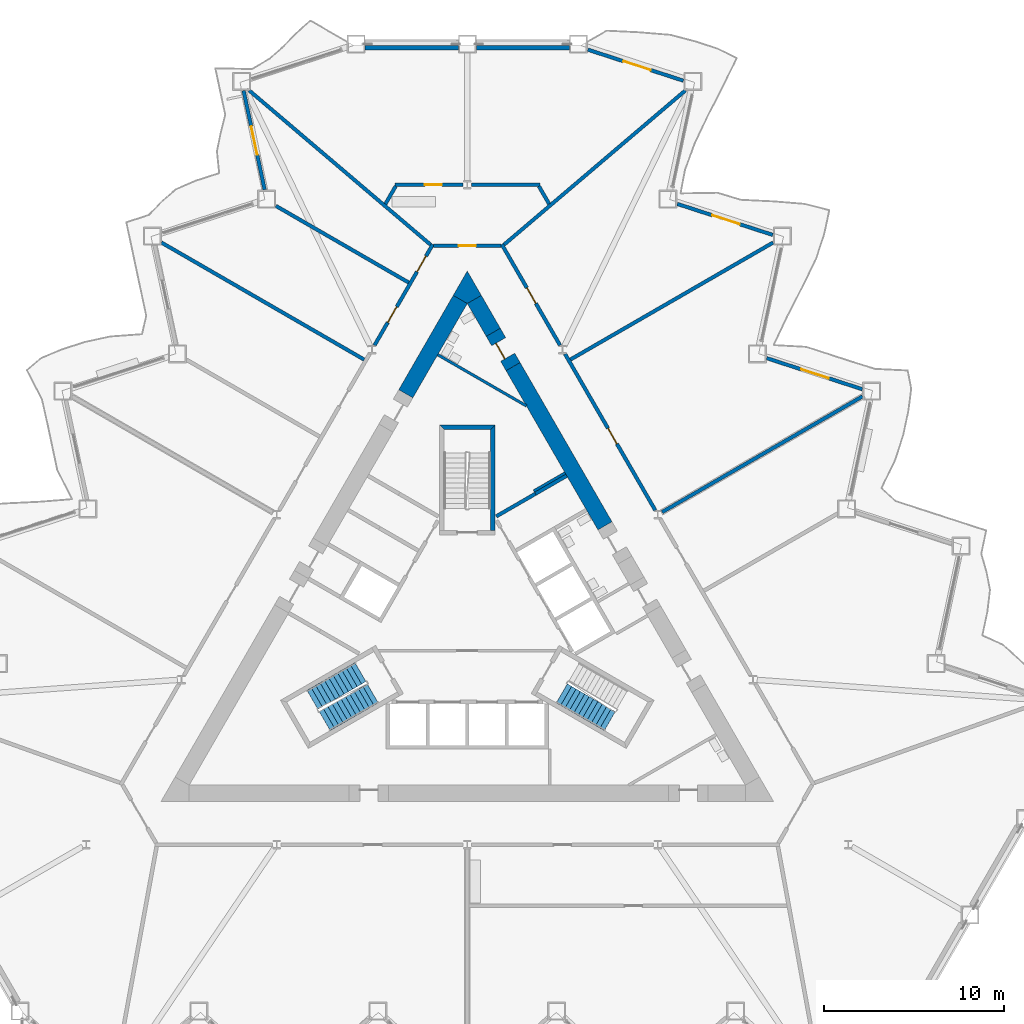
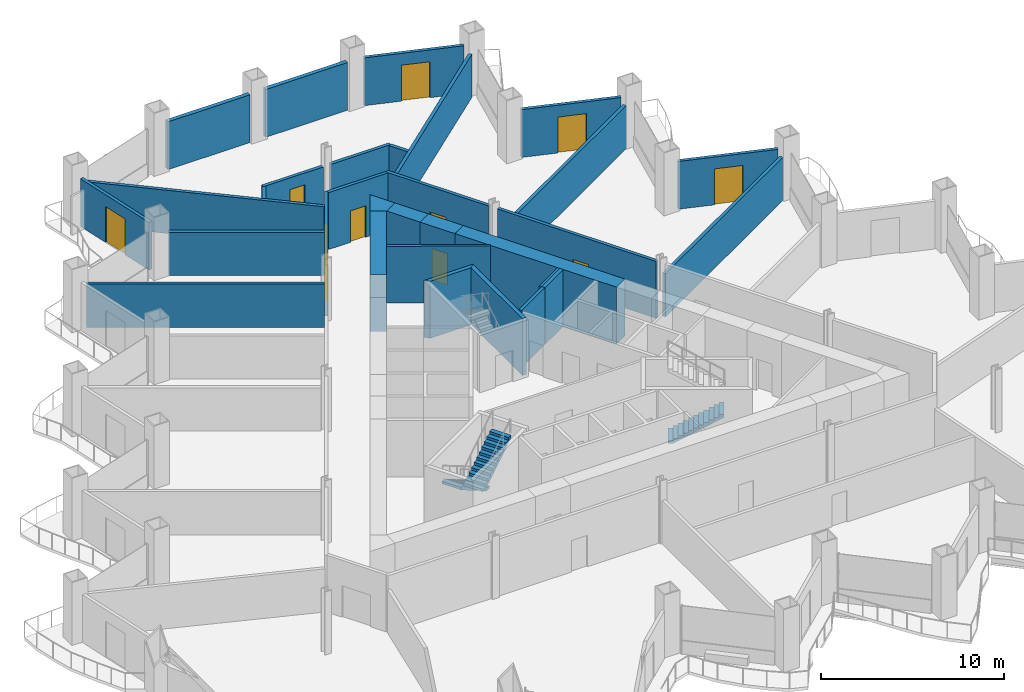
# One storey, part 12 of 21: 31 walls, 11 doors, 3 stair flights, 11 openings, 2 elements without a shape of their own.
"""IFC4 building model written with IfcOpenShell, lengths in metres."""

from ifc_helpers import new_model, si_unit, direction, frame, frame_2d, origin, place, context, subcontext, project, spatial, polyline, rectangle, outline, extrude, material, layer, layer_set, type_object, element, fill, aggregate, save


model = new_model("IFC4")

# Units and contexts
model_context = context("Model", 3, precision=1e-05, world=origin(), true_north=direction((0.0, 1.0)))
body_context = subcontext(model_context, "Body", "Model", "MODEL_VIEW")
ifc_project = project(units=[si_unit("LENGTHUNIT", "METRE"), si_unit("AREAUNIT", "SQUARE_METRE"), si_unit("VOLUMEUNIT", "CUBIC_METRE"), si_unit("PLANEANGLEUNIT", "RADIAN"), si_unit("MASSUNIT", "GRAM", prefix="KILO")], contexts=[model_context])

# Site, building, storey
site_placement = place(None, origin())
site = spatial("IfcSite", under=ifc_project, at=site_placement, CompositionType="ELEMENT")
building_placement = place(site_placement, origin())
building = spatial("IfcBuilding", under=site, at=building_placement, Name="Cormorant Prow Tower", CompositionType="ELEMENT")
storey_placement = place(building_placement, frame((0.0, 0.0, 76.199951171875)))
storey = spatial("IfcBuildingStorey", under=building, at=storey_placement, Name="L16", CompositionType="ELEMENT", Elevation=76.199951171875)

# Walls
ifc_material_1 = material(Name="Gypsum board partition")
ifc_layer_1 = layer(ifc_material_1, 0.14990234375)
ifc_layer_set_1 = layer_set([ifc_layer_1], Name="Gypsum board partition")
wall_type_1 = type_object("IfcWallType", Name="Core partition 150", PredefinedType="PARTITIONING", material=ifc_layer_set_1)
wall_1_placement = place(storey_placement, frame((3.693359375, 7.4150390625, 0.0), z_axis=(0.0, 0.0, 1.0), x_axis=(0.866035824272, 0.499981950752, 0.0)))
element("IfcWall", 1, at=wall_1_placement, inside=storey, type_object=wall_type_1, Name="Service room partition", PredefinedType="PARTITIONING", context=body_context, shape_type="SweptSolid", body=[
    extrude(rectangle(XDim=2.0087890625, YDim=0.14990234375, at=frame_2d((1.00439453125, 0.0))), origin(), (0.0, 0.0, 1.0), 3.800048828125),
])
wall_2_placement = place(storey_placement, frame((-1.64111328125, 14.9873046875, 0.0), z_axis=(0.0, 0.0, 1.0), x_axis=(0.866033267067, -0.499986380149, 0.0)))
element("IfcWall", 2, at=wall_2_placement, inside=storey, type_object=wall_type_1, Name="Service room partition", PredefinedType="PARTITIONING", context=body_context, shape_type="SweptSolid", body=[
    extrude(rectangle(XDim=5.685302734375, YDim=0.14990234375, at=frame_2d((2.8427734375, 0.0))), origin(), (0.0, 0.0, 1.0), 3.800048828125),
])
ifc_material_2 = material(Name="Concrete 8000 psi", Category="concrete")
ifc_layer_2 = layer(ifc_material_2, 0.89990234375)
ifc_layer_set_2 = layer_set([ifc_layer_2], Name="Concrete 8000 psi")
wall_type_2 = type_object("IfcWallType", Name="Core shear wall 900", PredefinedType="SHEAR", material=ifc_layer_set_2)
wall_3_placement = place(storey_placement, frame((7.646484375, 5.485595703125, 0.0), z_axis=(0.0, 0.0, 1.0), x_axis=(-0.499982660725, 0.866035414388, 0.0)))
element("IfcWall", 3, at=wall_3_placement, inside=storey, type_object=wall_type_2, Name="Core wall", PredefinedType="SHEAR", context=body_context, shape_type="SweptSolid", body=[
    extrude(rectangle(XDim=10.206298828125, YDim=0.89990234375, at=frame_2d((5.10302734375, 0.0))), origin(), (0.0, 0.0, 1.0), 3.800048828125),
])
wall_4_placement = place(storey_placement, frame((1.443359375, 16.22998046875, 0.0), z_axis=(0.0, 0.0, 1.0), x_axis=(-0.500026652407, 0.866010015463, 0.0)))
element("IfcWall", 4, at=wall_4_placement, inside=storey, type_object=wall_type_2, Name="Core wall", PredefinedType="SHEAR", context=body_context, shape_type="SweptSolid", body=[
    extrude(rectangle(XDim=2.107421875, YDim=0.89990234375, at=frame_2d((1.0537109375, 0.0))), origin(), (0.0, 0.0, 1.0), 3.800048828125),
])
wall_5_placement = place(storey_placement, frame((-0.3896484375, 18.054931640625, 0.0), z_axis=(0.0, 0.0, 1.0), x_axis=(-0.500006596359, -0.866021595341, 0.0)))
element("IfcWall", 5, at=wall_5_placement, inside=storey, type_object=wall_type_2, Name="Core wall", PredefinedType="SHEAR", context=body_context, shape_type="SweptSolid", body=[
    extrude(rectangle(XDim=6.04931640625, YDim=0.89990234375, at=frame_2d((3.024658203125, 0.0))), origin(), (0.0, 0.0, 1.0), 3.800048828125),
])
wall_6_placement = place(storey_placement, origin())
element("IfcWall", 6, at=wall_6_placement, inside=storey, type_object=wall_type_2, Name="Core wall corner", PredefinedType="SHEAR", context=body_context, shape_type="SweptSolid", body=[
    extrude(outline(polyline([(-0.779296875, 18.27978515625), (0.0, 19.6298828125), (0.779296875, 18.27978515625), (0.0, 17.829833984375), (-0.779296875, 18.27978515625)])), origin(), (0.0, 0.0, 1.0), 3.800048828125),
])

# Wall, opening, door
wall_7_placement = place(storey_placement, frame((2.54345703125, 14.32470703125, 0.0), z_axis=(0.0, 0.0, 1.0), x_axis=(-0.50002983664, 0.866008176907, 0.0)))
wall_7 = element("IfcWall", 7, at=wall_7_placement, inside=storey, type_object=wall_type_2, Name="Core wall door panel", PredefinedType="SHEAR", context=body_context, shape_type="SweptSolid", body=[
    extrude(rectangle(XDim=2.199951171875, YDim=0.89990234375, at=frame_2d((1.10009765625, 0.0))), origin(), (0.0, 0.0, 1.0), 3.800048828125),
])
opening_1_placement = place(wall_7_placement, frame((0.60009765625, 0.0, 0.0)))
opening_1 = element("IfcOpeningElement", 8, at=opening_1_placement, cuts=wall_7, Name="Opening L16-C22", PredefinedType="OPENING", context=body_context, shape_type="SweptSolid", body=[
    extrude(rectangle(XDim=1.0, YDim=2.10009765625, at=frame_2d((0.5, 1.050048828125))), frame((0.0, 0.4599609375, 0.0), z_axis=(0.0, -1.0, 0.0), x_axis=(1.0, 0.0, 0.0)), (0.0, 0.0, 1.0), 0.919921875),
])
ifc_material_3 = material(Name="Painted steel", Category="steel")
door_type_1 = type_object("IfcDoorType", Name="Service door 1000x2100", OperationType="NOTDEFINED", PredefinedType="DOOR", material=ifc_material_3)
door_1_placement = place(opening_1_placement, origin())
door_1 = element("IfcDoor", 9, at=door_1_placement, inside=storey, type_object=door_type_1, Name="Core door, Toilets (men) L16", OperationType="SINGLE_SWING_RIGHT", OverallHeight=2.10009765625, OverallWidth=1.0, PredefinedType="DOOR", context=body_context, shape_type="SweptSolid", body=[
    extrude(rectangle(XDim=1.0, YDim=2.10009765625, at=frame_2d((0.5, 1.050048828125))), frame((0.0, 0.205078125, 0.0), z_axis=(0.0, -1.0, 0.0), x_axis=(1.0, 0.0, 0.0)), (0.0, 0.0, 1.0), 0.050048828125),
])
fill(opening_1, door_1)

ifc_material_4 = material(Name="Gypsum board corridor wall")
ifc_layer_3 = layer(ifc_material_4, 0.199951171875)
ifc_layer_set_3 = layer_set([ifc_layer_3], Name="Gypsum board corridor wall")
wall_type_3 = type_object("IfcWallType", Name="Corridor wall 200", PredefinedType="PARTITIONING", material=ifc_layer_set_3)
wall_8_placement = place(storey_placement, frame((5.42919921875, 15.0263671875, 0.0), z_axis=(0.0, 0.0, 1.0), x_axis=(0.50001002959, -0.86601961312, 0.0)))
wall_8 = element("IfcWall", 10, at=wall_8_placement, inside=storey, type_object=wall_type_3, Name="Corridor wall", PredefinedType="PARTITIONING", context=body_context, shape_type="SweptSolid", body=[
    extrude(rectangle(XDim=10.018798828125, YDim=0.199951171875, at=frame_2d((5.00927734375, 0.0))), origin(), (0.0, 0.0, 1.0), 3.800048828125),
])
opening_2_placement = place(wall_8_placement, frame((4.760009765625, 0.0, 0.0)))
opening_2 = element("IfcOpeningElement", 11, at=opening_2_placement, cuts=wall_8, Name="Opening L16-F07", PredefinedType="OPENING", context=body_context, shape_type="SweptSolid", body=[
    extrude(rectangle(XDim=1.0, YDim=2.10009765625, at=frame_2d((0.5, 1.050048828125))), frame((0.0, 0.10986328125, 0.0), z_axis=(0.0, -1.0, 0.0), x_axis=(1.0, 0.0, 0.0)), (0.0, 0.0, 1.0), 0.219970703125),
])
ifc_material_5 = material(Name="Timber door leaf", Category="wood")
door_type_2 = type_object("IfcDoorType", Name="Office door 1000x2100", OperationType="NOTDEFINED", PredefinedType="DOOR", material=ifc_material_5)
door_2_placement = place(opening_2_placement, origin())
door_2 = element("IfcDoor", 12, at=door_2_placement, inside=storey, type_object=door_type_2, Name="Open-plan office door", OperationType="SINGLE_SWING_RIGHT", OverallHeight=2.10009765625, OverallWidth=1.0, PredefinedType="DOOR", context=body_context, shape_type="SweptSolid", body=[
    extrude(rectangle(XDim=1.0, YDim=2.10009765625, at=frame_2d((0.5, 1.050048828125))), frame((0.0, 0.02490234375, 0.0), z_axis=(0.0, -1.0, 0.0), x_axis=(1.0, 0.0, 0.0)), (0.0, 0.0, 1.0), 0.050048828125),
])
fill(opening_2, door_2)

wall_9_placement = place(storey_placement, frame((1.9130859375, 21.116455078125, 0.0), z_axis=(0.0, 0.0, 1.0), x_axis=(0.500001069878, -0.866024786089, 0.0)))
wall_9 = element("IfcWall", 13, at=wall_9_placement, inside=storey, type_object=wall_type_3, Name="Corridor wall", PredefinedType="PARTITIONING", context=body_context, shape_type="SweptSolid", body=[
    extrude(rectangle(XDim=6.47265625, YDim=0.199951171875, at=frame_2d((3.236328125, 0.0))), origin(), (0.0, 0.0, 1.0), 3.800048828125),
])
opening_3_placement = place(wall_9_placement, frame((2.787109375, 0.0, 0.0)))
opening_3 = element("IfcOpeningElement", 14, at=opening_3_placement, cuts=wall_9, Name="Opening L16-F08", PredefinedType="OPENING", context=body_context, shape_type="SweptSolid", body=[
    extrude(rectangle(XDim=1.0, YDim=2.10009765625, at=frame_2d((0.5, 1.050048828125))), frame((0.0, 0.10986328125, 0.0), z_axis=(0.0, -1.0, 0.0), x_axis=(1.0, 0.0, 0.0)), (0.0, 0.0, 1.0), 0.219970703125),
])
door_3_placement = place(opening_3_placement, origin())
door_3 = element("IfcDoor", 15, at=door_3_placement, inside=storey, type_object=door_type_2, Name="Tenant suite door", OperationType="SINGLE_SWING_LEFT", OverallHeight=2.10009765625, OverallWidth=1.0, PredefinedType="DOOR", context=body_context, shape_type="SweptSolid", body=[
    extrude(rectangle(XDim=1.0, YDim=2.10009765625, at=frame_2d((0.5, 1.050048828125))), frame((0.0, 0.02490234375, 0.0), z_axis=(0.0, -1.0, 0.0), x_axis=(1.0, 0.0, 0.0)), (0.0, 0.0, 1.0), 0.050048828125),
])
fill(opening_3, door_3)

# Wall, openings, doors
wall_10_placement = place(storey_placement, frame((-5.1494140625, 15.510986328125, 0.0), z_axis=(0.0, 0.0, 1.0), x_axis=(0.500001069878, 0.866024786089, 0.0)))
wall_10 = element("IfcWall", 16, at=wall_10_placement, inside=storey, type_object=wall_type_3, Name="Corridor wall", PredefinedType="PARTITIONING", context=body_context, shape_type="SweptSolid", body=[
    extrude(rectangle(XDim=6.47265625, YDim=0.199951171875, at=frame_2d((3.236328125, 0.0))), origin(), (0.0, 0.0, 1.0), 3.800048828125),
])
opening_4_placement = place(wall_10_placement, frame((4.71533203125, 0.0, 0.0)))
opening_4 = element("IfcOpeningElement", 17, at=opening_4_placement, cuts=wall_10, Name="Opening L16-F11", PredefinedType="OPENING", context=body_context, shape_type="SweptSolid", body=[
    extrude(rectangle(XDim=1.0, YDim=2.10009765625, at=frame_2d((0.5, 1.050048828125))), frame((0.0, 0.10986328125, 0.0), z_axis=(0.0, -1.0, 0.0), x_axis=(1.0, 0.0, 0.0)), (0.0, 0.0, 1.0), 0.219970703125),
])
opening_5_placement = place(wall_10_placement, frame((1.4677734375, 0.0, 0.0)))
opening_5 = element("IfcOpeningElement", 18, at=opening_5_placement, cuts=wall_10, Name="Opening L16-F12", PredefinedType="OPENING", context=body_context, shape_type="SweptSolid", body=[
    extrude(rectangle(XDim=1.0, YDim=2.10009765625, at=frame_2d((0.5, 1.050048828125))), frame((0.0, 0.10986328125, 0.0), z_axis=(0.0, -1.0, 0.0), x_axis=(1.0, 0.0, 0.0)), (0.0, 0.0, 1.0), 0.219970703125),
])
door_4_placement = place(opening_4_placement, origin())
door_4 = element("IfcDoor", 19, at=door_4_placement, inside=storey, type_object=door_type_2, Name="Private office door", OperationType="SINGLE_SWING_RIGHT", OverallHeight=2.10009765625, OverallWidth=1.0, PredefinedType="DOOR", context=body_context, shape_type="SweptSolid", body=[
    extrude(rectangle(XDim=1.0, YDim=2.10009765625, at=frame_2d((0.5, 1.050048828125))), frame((0.0, 0.02490234375, 0.0), z_axis=(0.0, -1.0, 0.0), x_axis=(1.0, 0.0, 0.0)), (0.0, 0.0, 1.0), 0.050048828125),
])
fill(opening_4, door_4)
door_5_placement = place(opening_5_placement, origin())
door_5 = element("IfcDoor", 20, at=door_5_placement, inside=storey, type_object=door_type_2, Name="Private office door", OperationType="SINGLE_SWING_RIGHT", OverallHeight=2.10009765625, OverallWidth=1.0, PredefinedType="DOOR", context=body_context, shape_type="SweptSolid", body=[
    extrude(rectangle(XDim=1.0, YDim=2.10009765625, at=frame_2d((0.5, 1.050048828125))), frame((0.0, 0.02490234375, 0.0), z_axis=(0.0, -1.0, 0.0), x_axis=(1.0, 0.0, 0.0)), (0.0, 0.0, 1.0), 0.050048828125),
])
fill(opening_5, door_5)

# Wall, opening, door
wall_11_placement = place(storey_placement, frame((-1.863037109375, 21.02978515625, 0.0), z_axis=(0.0, 0.0, 1.0), x_axis=(1.0, 0.0, 0.0)))
wall_11 = element("IfcWall", 21, at=wall_11_placement, inside=storey, type_object=wall_type_3, Name="Corridor wall", PredefinedType="PARTITIONING", context=body_context, shape_type="SweptSolid", body=[
    extrude(rectangle(XDim=3.72607421875, YDim=0.199951171875, at=frame_2d((1.863037109375, 0.0))), origin(), (0.0, 0.0, 1.0), 3.800048828125),
])
opening_6_placement = place(wall_11_placement, frame((1.387939453125, 0.0, 0.0)))
opening_6 = element("IfcOpeningElement", 22, at=opening_6_placement, cuts=wall_11, Name="Opening L16-F09", PredefinedType="OPENING", context=body_context, shape_type="SweptSolid", body=[
    extrude(rectangle(XDim=0.949951171875, YDim=2.10009765625, at=frame_2d((0.47509765625, 1.050048828125))), frame((0.0, 0.10986328125, 0.0), z_axis=(0.0, -1.0, 0.0), x_axis=(1.0, 0.0, 0.0)), (0.0, 0.0, 1.0), 0.219970703125),
])
ifc_material_6 = material(Name="Timber door leaf", Category="wood")
door_type_3 = type_object("IfcDoorType", Name="Store door 950x2100", OperationType="NOTDEFINED", PredefinedType="DOOR", material=ifc_material_6)
door_6_placement = place(opening_6_placement, origin())
door_6 = element("IfcDoor", 23, at=door_6_placement, inside=storey, type_object=door_type_3, Name="Tea point and pantry door", OperationType="SINGLE_SWING_LEFT", OverallHeight=2.10009765625, OverallWidth=0.949951171875, PredefinedType="DOOR", context=body_context, shape_type="SweptSolid", body=[
    extrude(rectangle(XDim=0.949951171875, YDim=2.10009765625, at=frame_2d((0.47509765625, 1.050048828125))), frame((0.0, 0.02490234375, 0.0), z_axis=(0.0, -1.0, 0.0), x_axis=(1.0, 0.0, 0.0)), (0.0, 0.0, 1.0), 0.050048828125),
])
fill(opening_6, door_6)

# Walls
ifc_material_7 = material(Name="Gypsum board demising wall")
ifc_layer_4 = layer(ifc_material_7, 0.199951171875)
ifc_layer_set_4 = layer_set([ifc_layer_4], Name="Gypsum board demising wall")
wall_type_4 = type_object("IfcWallType", Name="Demising wall 200", PredefinedType="PARTITIONING", material=ifc_layer_set_4)
for number, where, z_axis, x_axis, name in (
    (24, (2.039306640625, 21.0947265625, 0.0), (0.0, 0.0, 1.0), (0.761767039776, 0.647851045465, 0.0), "Demising wall"),
    (25, (-12.109130859375, 29.65869140625, 0.0), (0.0, 0.0, 1.0), (0.761767039776, -0.647851045465, 0.0), "Demising wall"),
):
    element("IfcWall", number, at=place(storey_placement, frame(where, z_axis=z_axis, x_axis=x_axis)), inside=storey, type_object=wall_type_4, Name=name, PredefinedType="PARTITIONING", context=body_context, shape_type="SweptSolid", body=[
        extrude(rectangle(XDim=13.218994140625, YDim=0.199951171875, at=frame_2d((6.609375, 0.0))), origin(), (0.0, 0.0, 1.0), 2.88525390625),
    ])
for number, where, z_axis, x_axis, name in (
    (26, (5.724609375, 14.714599609375, 0.0), (0.0, 0.0, 1.0), (0.866032633092, 0.499987478263, 0.0), "Demising wall"),
    (27, (-16.981201171875, 21.21337890625, 0.0), (0.0, 0.0, 1.0), (0.866032633092, -0.499987478263, 0.0), "Demising wall"),
):
    element("IfcWall", number, at=place(storey_placement, frame(where, z_axis=z_axis, x_axis=x_axis)), inside=storey, type_object=wall_type_4, Name=name, PredefinedType="PARTITIONING", context=body_context, shape_type="SweptSolid", body=[
        extrude(rectangle(XDim=12.997802734375, YDim=0.199951171875, at=frame_2d((6.4990234375, 0.0))), origin(), (0.0, 0.0, 1.0), 2.88525390625),
    ])
wall_12_placement = place(storey_placement, frame((10.82080078125, 6.247314453125, 0.0), z_axis=(0.0, 0.0, 1.0), x_axis=(0.866026729935, 0.499997703033, 0.0)))
element("IfcWall", 28, at=wall_12_placement, inside=storey, type_object=wall_type_4, Name="Demising wall", PredefinedType="PARTITIONING", context=body_context, shape_type="SweptSolid", body=[
    extrude(rectangle(XDim=12.84765625, YDim=0.199951171875, at=frame_2d((6.423828125, 0.0))), origin(), (0.0, 0.0, 1.0), 2.88525390625),
])
wall_13_placement = place(storey_placement, frame((-10.625732421875, 23.248779296875, 0.0), z_axis=(0.0, 0.0, 1.0), x_axis=(0.866037037334, -0.49997984956, 0.0)))
element("IfcWall", 29, at=wall_13_placement, inside=storey, type_object=wall_type_4, Name="Demising wall", PredefinedType="PARTITIONING", context=body_context, shape_type="SweptSolid", body=[
    extrude(rectangle(XDim=8.511474609375, YDim=0.199951171875, at=frame_2d((4.255859375, 0.0))), origin(), (0.0, 0.0, 1.0), 2.88525390625),
])

# Wall, opening, door
wall_14_placement = place(storey_placement, frame((-4.02587890625, 24.429931640625, 0.0), z_axis=(0.0, 0.0, 1.0), x_axis=(1.0, 0.0, 0.0)))
wall_14 = element("IfcWall", 30, at=wall_14_placement, inside=storey, type_object=wall_type_4, Name="Demising wall", PredefinedType="PARTITIONING", context=body_context, shape_type="SweptSolid", body=[
    extrude(rectangle(XDim=3.78369140625, YDim=0.199951171875, at=frame_2d((1.891845703125, 0.0))), origin(), (0.0, 0.0, 1.0), 2.88525390625),
])
opening_7_placement = place(wall_14_placement, frame((1.67041015625, 0.0, 0.0)))
opening_7 = element("IfcOpeningElement", 31, at=opening_7_placement, cuts=wall_14, Name="Opening L16-F10", PredefinedType="OPENING", context=body_context, shape_type="SweptSolid", body=[
    extrude(rectangle(XDim=0.949951171875, YDim=2.10009765625, at=frame_2d((0.47509765625, 1.050048828125))), frame((0.0, 0.10986328125, 0.0), z_axis=(0.0, -1.0, 0.0), x_axis=(1.0, 0.0, 0.0)), (0.0, 0.0, 1.0), 0.219970703125),
])
door_7_placement = place(opening_7_placement, origin())
door_7 = element("IfcDoor", 32, at=door_7_placement, inside=storey, type_object=door_type_3, Name="Print and copy room door", OperationType="SINGLE_SWING_RIGHT", OverallHeight=2.10009765625, OverallWidth=0.949951171875, PredefinedType="DOOR", context=body_context, shape_type="SweptSolid", body=[
    extrude(rectangle(XDim=0.949951171875, YDim=2.10009765625, at=frame_2d((0.47509765625, 1.050048828125))), frame((0.0, 0.02490234375, 0.0), z_axis=(0.0, -1.0, 0.0), x_axis=(1.0, 0.0, 0.0)), (0.0, 0.0, 1.0), 0.050048828125),
])
fill(opening_7, door_7)

# Walls
wall_15_placement = place(storey_placement, frame((0.2421875, 24.429931640625, 0.0), z_axis=(0.0, 0.0, 1.0), x_axis=(1.0, 0.0, 0.0)))
element("IfcWall", 33, at=wall_15_placement, inside=storey, type_object=wall_type_4, Name="Demising wall", PredefinedType="PARTITIONING", context=body_context, shape_type="SweptSolid", body=[
    extrude(rectangle(XDim=3.78369140625, YDim=0.199951171875, at=frame_2d((1.891845703125, 0.0))), origin(), (0.0, 0.0, 1.0), 2.88525390625),
])
for number, where, z_axis, x_axis, name in (
    (34, (3.97607421875, 24.34326171875, 0.0), (0.0, 0.0, 1.0), (0.499938683108, -0.866060802215, 0.0), "Demising wall"),
    (35, (-4.546142578125, 23.355712890625, 0.0), (0.0, 0.0, 1.0), (0.499938683108, 0.866060802215, 0.0), "Demising wall"),
):
    element("IfcWall", number, at=place(storey_placement, frame(where, z_axis=z_axis, x_axis=x_axis)), inside=storey, type_object=wall_type_4, Name=name, PredefinedType="PARTITIONING", context=body_context, shape_type="SweptSolid", body=[
        extrude(rectangle(XDim=1.140380859375, YDim=0.199951171875, at=frame_2d((0.5703125, 0.0))), origin(), (0.0, 0.0, 1.0), 2.88525390625),
    ])
ifc_material_8 = material(Name="Concrete 8000 psi", Category="concrete")
ifc_layer_5 = layer(ifc_material_8, 0.199951171875)
ifc_layer_set_5 = layer_set([ifc_layer_5], Name="Concrete 8000 psi")
wall_type_5 = type_object("IfcWallType", Name="Lift shaft wall 200", PredefinedType="SHEAR", material=ifc_layer_set_5)
wall_16_placement = place(storey_placement, origin())
element("IfcWall", 36, at=wall_16_placement, inside=storey, type_object=wall_type_5, Name="Lift shaft walls, ENE block", PredefinedType="SHEAR", context=body_context, shape_type="SweptSolid", body=[
    extrude(outline(polyline([(1.560546875, 6.09716796875), (3.730712890625, 7.35009765625), (3.830810546875, 7.177001953125), (1.660400390625, 5.923828125), (1.560546875, 6.09716796875)])), origin(), (0.0, 0.0, 1.0), 3.800048828125),
])
wall_17_placement = place(storey_placement, frame((3.78076171875, 7.263427734375, 0.0), z_axis=(0.0, 0.0, 1.0), x_axis=(0.865983199114, 0.50007309351, 0.0)))
element("IfcWall", 37, at=wall_17_placement, inside=storey, type_object=wall_type_5, Name="Store side wall", PredefinedType="SHEAR", context=body_context, shape_type="SweptSolid", body=[
    extrude(rectangle(XDim=2.009033203125, YDim=0.199951171875, at=frame_2d((1.00439453125, 0.0))), origin(), (0.0, 0.0, 1.0), 3.800048828125),
])
ifc_material_9 = material(Name="Concrete 8000 psi", Category="concrete")
ifc_layer_6 = layer(ifc_material_9, 0.25)
ifc_layer_set_6 = layer_set([ifc_layer_6], Name="Concrete 8000 psi")
wall_type_6 = type_object("IfcWallType", Name="Stair wall 250", PredefinedType="SHEAR", material=ifc_layer_set_6)
wall_18_placement = place(storey_placement, origin())
element("IfcWall", 38, at=wall_18_placement, inside=storey, type_object=wall_type_6, Name="Stair ST3 enclosure wall (flank)", PredefinedType="SHEAR", context=body_context, shape_type="SweptSolid", body=[
    extrude(outline(polyline([(1.5439453125, 5.23681640625), (1.5439453125, 11.0869140625), (1.2939453125, 10.8369140625), (1.2939453125, 5.23681640625), (1.5439453125, 5.23681640625)])), origin(), (0.0, 0.0, 1.0), 3.800048828125),
])
wall_19_placement = place(storey_placement, origin())
element("IfcWall", 39, at=wall_19_placement, inside=storey, type_object=wall_type_6, Name="Stair ST3 enclosure wall (end)", PredefinedType="SHEAR", context=body_context, shape_type="SweptSolid", body=[
    extrude(outline(polyline([(1.5439453125, 11.0869140625), (-1.5439453125, 11.0869140625), (-1.2939453125, 10.8369140625), (1.2939453125, 10.8369140625), (1.5439453125, 11.0869140625)])), origin(), (0.0, 0.0, 1.0), 3.800048828125),
])
ifc_material_10 = material(Name="Terracotta", Category="masonry")
ifc_layer_7 = layer(ifc_material_10, 0.25)
ifc_layer_set_7 = layer_set([ifc_layer_7], Name="Terracotta")
wall_type_7 = type_object("IfcWallType", Name="Terracotta bay wall 250", PredefinedType="SOLIDWALL", material=ifc_layer_set_7)
for number, where, z_axis, x_axis, name in (
    (40, (5.669677734375, 32.03466796875, 0.0), (0.0, 0.0, 1.0), (-1.0, 0.0, 0.0), "Terracotta bay wall N00"),
    (41, (-0.5, 32.03466796875, 0.0), (0.0, 0.0, 1.0), (-1.0, 0.0, 0.0), "Terracotta bay wall N01"),
):
    element("IfcWall", number, at=place(storey_placement, frame(where, z_axis=z_axis, x_axis=x_axis)), inside=storey, type_object=wall_type_7, Name=name, PredefinedType="SOLIDWALL", context=body_context, shape_type="SweptSolid", body=[
        extrude(rectangle(XDim=5.169677734375, YDim=0.25, at=frame_2d((2.5849609375, 0.0))), origin(), (0.0, 0.0, 1.0), 3.18896484375),
    ])

# Wall, opening, door
ifc_material_11 = material(Name="Terracotta", Category="masonry")
ifc_layer_8 = layer(ifc_material_11, 0.199951171875)
ifc_layer_set_8 = layer_set([ifc_layer_8], Name="Terracotta")
wall_type_8 = type_object("IfcWallType", Name="Terracotta jamb wall 200", PredefinedType="SOLIDWALL", material=ifc_layer_set_8)
wall_20_placement = place(storey_placement, frame((21.9326171875, 13.07080078125, 0.0), z_axis=(0.0, 0.0, 1.0), x_axis=(-0.951054004345, 0.309024725255, 0.0)))
wall_20 = element("IfcWall", 42, at=wall_20_placement, inside=storey, type_object=wall_type_8, Name="Terracotta jamb wall ENE05", PredefinedType="SOLIDWALL", context=body_context, shape_type="SweptSolid", body=[
    extrude(rectangle(XDim=5.579345703125, YDim=0.199951171875, at=frame_2d((2.78955078125, 0.0))), origin(), (0.0, 0.0, 1.0), 3.18896484375),
])
opening_8_placement = place(wall_20_placement, frame((1.95849609375, 0.0, 0.0)))
opening_8 = element("IfcOpeningElement", 43, at=opening_8_placement, cuts=wall_20, Name="Opening ED16.08", PredefinedType="OPENING", context=body_context, shape_type="SweptSolid", body=[
    extrude(rectangle(XDim=1.60009765625, YDim=2.39990234375, at=frame_2d((0.800048828125, 1.199951171875))), frame((0.0, 0.10986328125, 0.0), z_axis=(0.0, -1.0, 0.0), x_axis=(1.0, 0.0, 0.0)), (0.0, 0.0, 1.0), 0.219970703125),
])
ifc_material_12 = material(Name="Aluminium 6063-T6", Category="aluminium")
door_type_4 = type_object("IfcDoorType", Name="Balcony door 1600x2400", OperationType="DOUBLE_DOOR_SINGLE_SWING", PredefinedType="DOOR", material=ifc_material_12)
door_8_placement = place(opening_8_placement, origin())
door_8 = element("IfcDoor", 44, at=door_8_placement, inside=storey, type_object=door_type_4, Name="Balcony door ENE05 ED16.08", OperationType="DOUBLE_DOOR_SINGLE_SWING", OverallHeight=2.39990234375, OverallWidth=1.60009765625, PredefinedType="DOOR", context=body_context, shape_type="SweptSolid", body=[
    extrude(rectangle(XDim=1.60009765625, YDim=2.39990234375, at=frame_2d((0.800048828125, 1.199951171875))), frame((0.0, 0.02490234375, 0.0), z_axis=(0.0, -1.0, 0.0), x_axis=(1.0, 0.0, 0.0)), (0.0, 0.0, 1.0), 0.050048828125),
])
fill(opening_8, door_8)

wall_21_placement = place(storey_placement, frame((16.966552734375, 21.63623046875, 0.0), z_axis=(0.0, 0.0, 1.0), x_axis=(-0.951054004345, 0.309024725255, 0.0)))
wall_21 = element("IfcWall", 45, at=wall_21_placement, inside=storey, type_object=wall_type_8, Name="Terracotta jamb wall ENE07", PredefinedType="SOLIDWALL", context=body_context, shape_type="SweptSolid", body=[
    extrude(rectangle(XDim=5.579345703125, YDim=0.199951171875, at=frame_2d((2.78955078125, 0.0))), origin(), (0.0, 0.0, 1.0), 3.18896484375),
])
opening_9_placement = place(wall_21_placement, frame((1.931396484375, 0.0, 0.0)))
opening_9 = element("IfcOpeningElement", 46, at=opening_9_placement, cuts=wall_21, Name="Opening ED16.09", PredefinedType="OPENING", context=body_context, shape_type="SweptSolid", body=[
    extrude(rectangle(XDim=1.60009765625, YDim=2.39990234375, at=frame_2d((0.800048828125, 1.199951171875))), frame((0.0, 0.10986328125, 0.0), z_axis=(0.0, -1.0, 0.0), x_axis=(1.0, 0.0, 0.0)), (0.0, 0.0, 1.0), 0.219970703125),
])
door_9_placement = place(opening_9_placement, origin())
door_9 = element("IfcDoor", 47, at=door_9_placement, inside=storey, type_object=door_type_4, Name="Balcony door ENE07 ED16.09", OperationType="DOUBLE_DOOR_SINGLE_SWING", OverallHeight=2.39990234375, OverallWidth=1.60009765625, PredefinedType="DOOR", context=body_context, shape_type="SweptSolid", body=[
    extrude(rectangle(XDim=1.60009765625, YDim=2.39990234375, at=frame_2d((0.800048828125, 1.199951171875))), frame((0.0, 0.02490234375, 0.0), z_axis=(0.0, -1.0, 0.0), x_axis=(1.0, 0.0, 0.0)), (0.0, 0.0, 1.0), 0.050048828125),
])
fill(opening_9, door_9)

wall_22_placement = place(storey_placement, frame((12.00048828125, 30.20166015625, 0.0), z_axis=(0.0, 0.0, 1.0), x_axis=(-0.951054004345, 0.309024725255, 0.0)))
wall_22 = element("IfcWall", 48, at=wall_22_placement, inside=storey, type_object=wall_type_8, Name="Terracotta jamb wall ENE09", PredefinedType="SOLIDWALL", context=body_context, shape_type="SweptSolid", body=[
    extrude(rectangle(XDim=5.579345703125, YDim=0.199951171875, at=frame_2d((2.78955078125, 0.0))), origin(), (0.0, 0.0, 1.0), 3.18896484375),
])
opening_10_placement = place(wall_22_placement, frame((1.904541015625, 0.0, 0.0)))
opening_10 = element("IfcOpeningElement", 49, at=opening_10_placement, cuts=wall_22, Name="Opening ED16.10", PredefinedType="OPENING", context=body_context, shape_type="SweptSolid", body=[
    extrude(rectangle(XDim=1.60009765625, YDim=2.39990234375, at=frame_2d((0.800048828125, 1.199951171875))), frame((0.0, 0.10986328125, 0.0), z_axis=(0.0, -1.0, 0.0), x_axis=(1.0, 0.0, 0.0)), (0.0, 0.0, 1.0), 0.219970703125),
])
door_10_placement = place(opening_10_placement, origin())
door_10 = element("IfcDoor", 50, at=door_10_placement, inside=storey, type_object=door_type_4, Name="Balcony door ENE09 ED16.10", OperationType="DOUBLE_DOOR_SINGLE_SWING", OverallHeight=2.39990234375, OverallWidth=1.60009765625, PredefinedType="DOOR", context=body_context, shape_type="SweptSolid", body=[
    extrude(rectangle(XDim=1.60009765625, YDim=2.39990234375, at=frame_2d((0.800048828125, 1.199951171875))), frame((0.0, 0.02490234375, 0.0), z_axis=(0.0, -1.0, 0.0), x_axis=(1.0, 0.0, 0.0)), (0.0, 0.0, 1.0), 0.050048828125),
])
fill(opening_10, door_10)

wall_23_placement = place(storey_placement, frame((-12.421875, 29.652099609375, 0.0), z_axis=(0.0, 0.0, 1.0), x_axis=(0.207901831982, -0.978149696242, 0.0)))
wall_23 = element("IfcWall", 51, at=wall_23_placement, inside=storey, type_object=wall_type_8, Name="Terracotta jamb wall WNW01", PredefinedType="SOLIDWALL", context=body_context, shape_type="SweptSolid", body=[
    extrude(rectangle(XDim=5.626220703125, YDim=0.199951171875, at=frame_2d((2.81298828125, 0.0))), origin(), (0.0, 0.0, 1.0), 3.18896484375),
])
opening_11_placement = place(wall_23_placement, frame((2.039306640625, 0.0, 0.0)))
opening_11 = element("IfcOpeningElement", 52, at=opening_11_placement, cuts=wall_23, Name="Opening ED16.11", PredefinedType="OPENING", context=body_context, shape_type="SweptSolid", body=[
    extrude(rectangle(XDim=1.60009765625, YDim=2.39990234375, at=frame_2d((0.800048828125, 1.199951171875))), frame((0.0, 0.10986328125, 0.0), z_axis=(0.0, -1.0, 0.0), x_axis=(1.0, 0.0, 0.0)), (0.0, 0.0, 1.0), 0.219970703125),
])
door_11_placement = place(opening_11_placement, origin())
door_11 = element("IfcDoor", 53, at=door_11_placement, inside=storey, type_object=door_type_4, Name="Balcony door WNW01 ED16.11", OperationType="DOUBLE_DOOR_SINGLE_SWING", OverallHeight=2.39990234375, OverallWidth=1.60009765625, PredefinedType="DOOR", context=body_context, shape_type="SweptSolid", body=[
    extrude(rectangle(XDim=1.60009765625, YDim=2.39990234375, at=frame_2d((0.800048828125, 1.199951171875))), frame((0.0, 0.02490234375, 0.0), z_axis=(0.0, -1.0, 0.0), x_axis=(1.0, 0.0, 0.0)), (0.0, 0.0, 1.0), 0.050048828125),
])
fill(opening_11, door_11)

# Stair, stair flights
ifc_material_13 = material(Name="Exit stair 24 risers")
stair_type = type_object("IfcStairType", Name="Exit stair 24 risers", PredefinedType="HALF_TURN_STAIR", material=ifc_material_13)
stair_1_placement = place(storey_placement, origin())
stair_1 = element("IfcStair", 54, at=stair_1_placement, inside=storey, type_object=stair_type, Name="L16 Exit stair ST1", PredefinedType="HALF_TURN_STAIR")
ifc_material_14 = material(Name="Concrete 5000 psi", Category="concrete")
stair_flight_type = type_object("IfcStairFlightType", Name="Stair flight 1219", PredefinedType="STRAIGHT", material=ifc_material_14)
stair_flight_1_placement = place(storey_placement, frame((-5.93310546875, -2.635009765625, 0.0), z_axis=(0.0, 0.0, 1.0), x_axis=(-0.866025403784, -0.5, 0.0)))
stair_flight_1 = element("IfcStairFlight", 55, at=stair_flight_1_placement, type_object=stair_flight_type, Name="ST1 flight 1", NumberOfRisers=12, NumberOfTreads=11, PredefinedType="STRAIGHT", RiserHeight=0.175, TreadLength=0.28, context=body_context, shape_type="SweptSolid", body=[
    extrude(outline(polyline([(0.0, 0.0), (0.0, 0.175048828125), (0.280029296875, 0.175048828125), (0.280029296875, 0.35009765625), (0.56005859375, 0.35009765625), (0.56005859375, 0.52490234375), (0.840087890625, 0.52490234375), (0.840087890625, 0.699951171875), (1.1201171875, 0.699951171875), (1.1201171875, 0.875), (1.39990234375, 0.875), (1.39990234375, 1.050048828125), (1.679931640625, 1.050048828125), (1.679931640625, 1.22509765625), (1.9599609375, 1.22509765625), (1.9599609375, 1.39990234375), (2.239990234375, 1.39990234375), (2.239990234375, 1.574951171875), (2.52001953125, 1.574951171875), (2.52001953125, 1.75), (2.800048828125, 1.75), (2.800048828125, 1.925048828125), (3.080078125, 1.925048828125), (3.080078125, 2.10009765625), (3.080078125, 1.748291015625), (0.28271484375, 0.0), (0.0, 0.0)])), frame((0.0, 0.609375, 0.0), z_axis=(0.0, -1.0, 0.0), x_axis=(1.0, 0.0, 0.0)), (0.0, 0.0, 1.0), 1.218994140625),
])
stair_flight_2_placement = place(storey_placement, frame((-7.916015625, -5.360595703125, 2.10009765625), z_axis=(0.0, 0.0, 1.0), x_axis=(0.866025403784, 0.5, 0.0)))
stair_flight_2 = element("IfcStairFlight", 56, at=stair_flight_2_placement, type_object=stair_flight_type, Name="ST1 flight 2", NumberOfRisers=12, NumberOfTreads=11, PredefinedType="STRAIGHT", RiserHeight=0.175, TreadLength=0.28, context=body_context, shape_type="SweptSolid", body=[
    extrude(outline(polyline([(0.0, 0.0), (0.0, 0.175048828125), (0.280029296875, 0.175048828125), (0.280029296875, 0.35009765625), (0.56005859375, 0.35009765625), (0.56005859375, 0.52490234375), (0.840087890625, 0.52490234375), (0.840087890625, 0.699951171875), (1.1201171875, 0.699951171875), (1.1201171875, 0.875), (1.39990234375, 0.875), (1.39990234375, 1.050048828125), (1.679931640625, 1.050048828125), (1.679931640625, 1.22509765625), (1.9599609375, 1.22509765625), (1.9599609375, 1.39990234375), (2.239990234375, 1.39990234375), (2.239990234375, 1.574951171875), (2.52001953125, 1.574951171875), (2.52001953125, 1.75), (2.800048828125, 1.75), (2.800048828125, 1.925048828125), (3.080078125, 1.925048828125), (3.080078125, 2.10009765625), (3.080078125, 1.748291015625), (0.28271484375, 0.0), (0.0, 0.0)])), frame((0.0, 0.609375, 0.0), z_axis=(0.0, -1.0, 0.0), x_axis=(1.0, 0.0, 0.0)), (0.0, 0.0, 1.0), 1.218994140625),
])
aggregate(stair_1, [stair_flight_1, stair_flight_2])

# Stair, stair flight
stair_2_placement = place(storey_placement, origin())
stair_2 = element("IfcStair", 57, at=stair_2_placement, inside=storey, type_object=stair_type, Name="L16 Exit stair ST2", PredefinedType="HALF_TURN_STAIR")
stair_flight_3_placement = place(storey_placement, frame((5.24853515625, -3.82080078125, 0.0), z_axis=(0.0, 0.0, 1.0), x_axis=(0.866025403784, -0.5, 0.0)))
stair_flight_3 = element("IfcStairFlight", 58, at=stair_flight_3_placement, type_object=stair_flight_type, Name="ST2 flight 1", NumberOfRisers=12, NumberOfTreads=11, PredefinedType="STRAIGHT", RiserHeight=0.175, TreadLength=0.28, context=body_context, shape_type="SweptSolid", body=[
    extrude(outline(polyline([(0.0, 0.0), (0.0, 0.175048828125), (0.280029296875, 0.175048828125), (0.280029296875, 0.35009765625), (0.56005859375, 0.35009765625), (0.56005859375, 0.52490234375), (0.840087890625, 0.52490234375), (0.840087890625, 0.699951171875), (1.1201171875, 0.699951171875), (1.1201171875, 0.875), (1.39990234375, 0.875), (1.39990234375, 1.050048828125), (1.679931640625, 1.050048828125), (1.679931640625, 1.22509765625), (1.9599609375, 1.22509765625), (1.9599609375, 1.39990234375), (2.239990234375, 1.39990234375), (2.239990234375, 1.574951171875), (2.52001953125, 1.574951171875), (2.52001953125, 1.75), (2.800048828125, 1.75), (2.800048828125, 1.925048828125), (3.080078125, 1.925048828125), (3.080078125, 2.10009765625), (3.080078125, 1.748291015625), (0.28271484375, 0.0), (0.0, 0.0)])), frame((0.0, 0.609375, 0.0), z_axis=(0.0, -1.0, 0.0), x_axis=(1.0, 0.0, 0.0)), (0.0, 0.0, 1.0), 1.218994140625),
])
aggregate(stair_2, [stair_flight_3])

save(model, "model.ifc")
